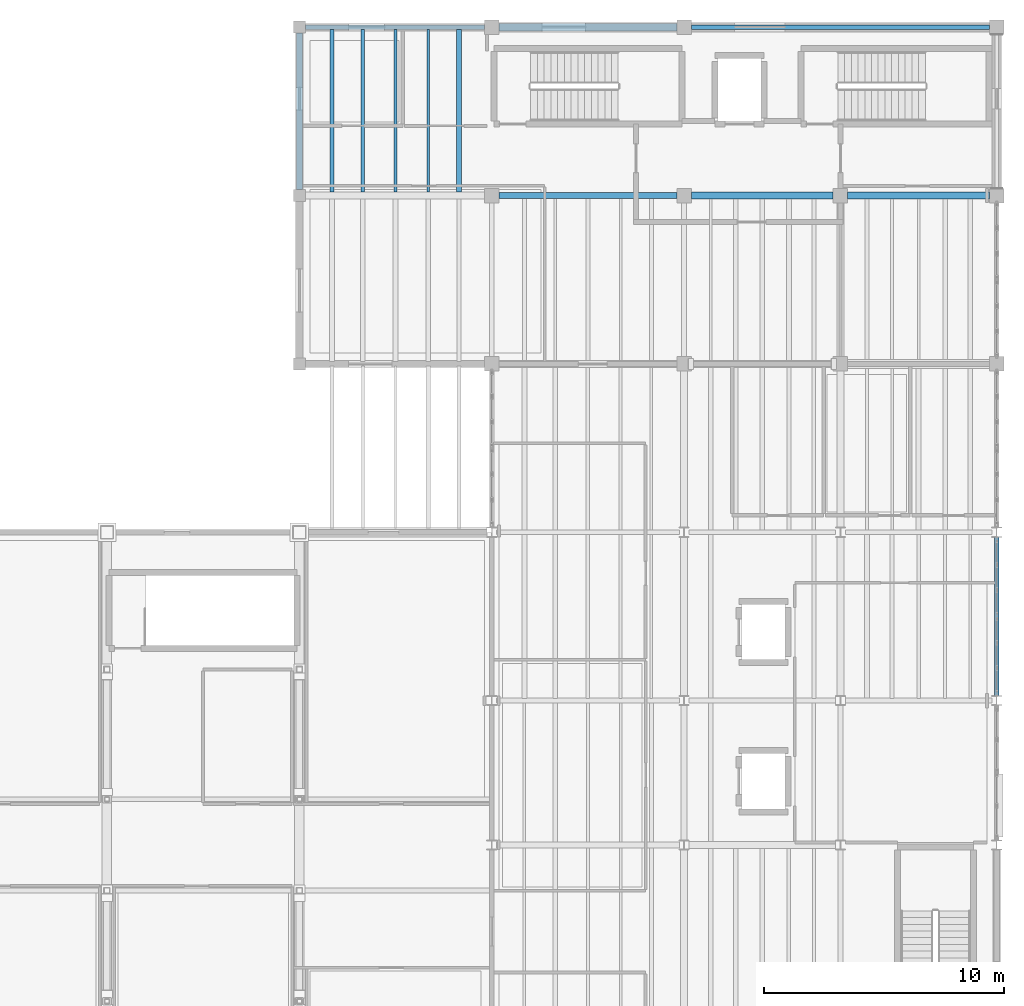
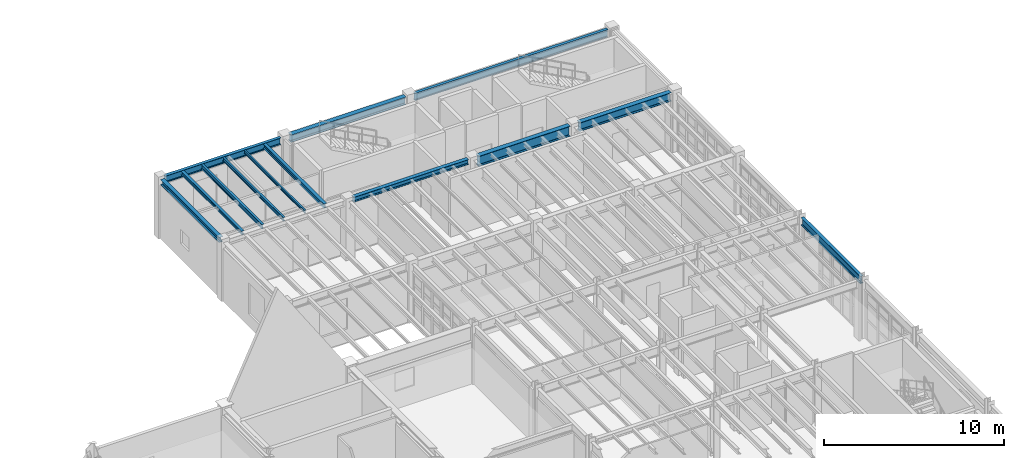
# One storey, part 44 of 78: 13 beams.
"""IFC4 building model written with IfcOpenShell, lengths in metres."""

from ifc_helpers import new_model, si_unit, direction, frame, origin, origin_2d, place, context, subcontext, project, spatial, i_section, extrude, material, material_profile, profile_set, type_object, element, save


model = new_model("IFC4")

# Units and contexts
model_context = context("Model", 3, precision=1e-05, world=origin(), true_north=direction((0.0, 1.0)))
body_context = subcontext(model_context, "Body", "Model", "MODEL_VIEW")
ifc_project = project(units=[si_unit("LENGTHUNIT", "METRE"), si_unit("AREAUNIT", "SQUARE_METRE"), si_unit("VOLUMEUNIT", "CUBIC_METRE"), si_unit("PLANEANGLEUNIT", "RADIAN"), si_unit("MASSUNIT", "GRAM", prefix="KILO"), si_unit("THERMODYNAMICTEMPERATUREUNIT", "KELVIN"), si_unit("POWERUNIT", "WATT")], contexts=[model_context])

# Site, building, storey
site_placement = place(None, origin())
site = spatial("IfcSite", under=ifc_project, at=site_placement, CompositionType="ELEMENT")
building_placement = place(site_placement, origin())
building = spatial("IfcBuilding", under=site, at=building_placement, Name="Zhenchuan Central Fire Station", CompositionType="ELEMENT")
storey_placement = place(building_placement, frame((0.0, 0.0, 5.85009765625)))
storey = spatial("IfcBuildingStorey", under=building, at=storey_placement, Name="L02", CompositionType="ELEMENT", Elevation=5.85009765625)

# Beams
ifc_material = material(Name="Steel Q355B", Category="steel")
ifc_material_profile_1 = material_profile(ifc_material, i_section(OverallWidth=0.25, OverallDepth=0.340087890625, WebThickness=0.009033203125, FlangeThickness=0.013916015625, FilletRadius=0.01806640625, at=origin_2d()), Name="HM 340x250")
ifc_profile_set_1 = profile_set([ifc_material_profile_1], Name="Steel Q355B")
beam_type_1 = type_object("IfcBeamType", Name="BM-HM340", PredefinedType="BEAM", material=ifc_profile_set_1)
beam_1_placement = place(storey_placement, frame((140.300048828125, 49.5, 3.829833984375), z_axis=(1.0, 0.0, 0.0), x_axis=(0.0, 1.0, 0.0)))
element("IfcBeam", 1, at=beam_1_placement, inside=storey, type_object=beam_type_1, Name="L03 Girder EW 0261", PredefinedType="BEAM", context=body_context, shape_type="SweptSolid", body=[
    extrude(i_section(OverallWidth=0.25, OverallDepth=0.340087890625, WebThickness=0.009033203125, FlangeThickness=0.013916015625, FilletRadius=0.01806640625, at=origin_2d()), origin(), (0.0, 0.0, 1.0), 7.39990234375),
])
beam_2_placement = place(storey_placement, frame((132.0, 49.75, 3.829833984375), z_axis=(0.0, 1.0, 0.0), x_axis=(-1.0, 0.0, 0.0)))
element("IfcBeam", 2, at=beam_2_placement, inside=storey, type_object=beam_type_1, Name="L03 Girder NS 0317", PredefinedType="BEAM", context=body_context, shape_type="SweptSolid", body=[
    extrude(i_section(OverallWidth=0.25, OverallDepth=0.340087890625, WebThickness=0.009033203125, FlangeThickness=0.013916015625, FilletRadius=0.01806640625, at=origin_2d()), origin(), (0.0, 0.0, 1.0), 6.5),
])
ifc_material_profile_2 = material_profile(ifc_material, i_section(OverallWidth=0.300048828125, OverallDepth=0.5, WebThickness=0.010986328125, FlangeThickness=0.01806640625, FilletRadius=0.02197265625, at=origin_2d()), Name="HM 500x300")
ifc_profile_set_2 = profile_set([ifc_material_profile_2], Name="Steel Q355B")
beam_type_2 = type_object("IfcBeamType", Name="BM-HM500", PredefinedType="BEAM", material=ifc_profile_set_2)
beam_3_placement = place(storey_placement, frame((140.300048828125, 56.5, 3.75), z_axis=(1.0, 0.0, 0.0), x_axis=(0.0, 1.0, 0.0)))
element("IfcBeam", 3, at=beam_3_placement, inside=storey, type_object=beam_type_2, Name="L03 Girder EW 0272", PredefinedType="BEAM", context=body_context, shape_type="SweptSolid", body=[
    extrude(i_section(OverallWidth=0.300048828125, OverallDepth=0.5, WebThickness=0.010986328125, FlangeThickness=0.01806640625, FilletRadius=0.02197265625, at=origin_2d()), origin(), (0.0, 0.0, 1.0), 7.39990234375),
])
ifc_material_profile_3 = material_profile(ifc_material, i_section(OverallWidth=0.300048828125, OverallDepth=0.587890625, WebThickness=0.011962890625, FlangeThickness=0.02001953125, FilletRadius=0.02392578125, at=origin_2d()), Name="HM 588x300")
ifc_profile_set_3 = profile_set([ifc_material_profile_3], Name="Steel Q355B")
beam_type_3 = type_object("IfcBeamType", Name="BM-HM588", PredefinedType="BEAM", material=ifc_profile_set_3)
beam_4_placement = place(storey_placement, frame((154.800048828125, 49.5, 3.705810546875), z_axis=(1.0, 0.0, 0.0), x_axis=(0.0, 1.0, 0.0)))
element("IfcBeam", 4, at=beam_4_placement, inside=storey, type_object=beam_type_3, Name="L03 Girder EW 0263", PredefinedType="BEAM", context=body_context, shape_type="SweptSolid", body=[
    extrude(i_section(OverallWidth=0.300048828125, OverallDepth=0.587890625, WebThickness=0.011962890625, FlangeThickness=0.02001953125, FilletRadius=0.02392578125, at=origin_2d()), origin(), (0.0, 0.0, 1.0), 5.89990234375),
])
ifc_material_profile_4 = material_profile(ifc_material, i_section(OverallWidth=0.199951171875, OverallDepth=0.449951171875, WebThickness=0.009033203125, FlangeThickness=0.013916015625, FilletRadius=0.01806640625, at=origin_2d()), Name="HN 450x200")
ifc_profile_set_4 = profile_set([ifc_material_profile_4], Name="Steel Q355B")
beam_type_4 = type_object("IfcBeamType", Name="BM-HN450-EXT", PredefinedType="BEAM", material=ifc_profile_set_4)
beam_5_placement = place(storey_placement, frame((132.25, 56.5, 3.77490234375), z_axis=(1.0, 0.0, 0.0), x_axis=(0.0, 1.0, 0.0)))
element("IfcBeam", 5, at=beam_5_placement, inside=storey, type_object=beam_type_4, Name="L03 Girder EW 0271", PredefinedType="BEAM", context=body_context, shape_type="SweptSolid", body=[
    extrude(i_section(OverallWidth=0.199951171875, OverallDepth=0.449951171875, WebThickness=0.009033203125, FlangeThickness=0.013916015625, FilletRadius=0.01806640625, at=origin_2d()), origin(), (0.0, 0.0, 1.0), 7.449951171875),
])
ifc_material_profile_5 = material_profile(ifc_material, i_section(OverallWidth=0.300048828125, OverallDepth=0.699951171875, WebThickness=0.012939453125, FlangeThickness=0.02392578125, FilletRadius=0.02392578125, at=origin_2d()), Name="HN 700x300")
ifc_profile_set_5 = profile_set([ifc_material_profile_5], Name="Steel Q355B")
beam_type_5 = type_object("IfcBeamType", Name="BM-HN700", PredefinedType="BEAM", material=ifc_profile_set_5)
beam_6_placement = place(storey_placement, frame((148.300048828125, 49.5, 3.64990234375), z_axis=(1.0, 0.0, 0.0), x_axis=(0.0, 1.0, 0.0)))
element("IfcBeam", 6, at=beam_6_placement, inside=storey, type_object=beam_type_5, Name="L03 Girder EW 0262", PredefinedType="BEAM", context=body_context, shape_type="SweptSolid", body=[
    extrude(i_section(OverallWidth=0.300048828125, OverallDepth=0.699951171875, WebThickness=0.012939453125, FlangeThickness=0.02392578125, FilletRadius=0.02392578125, at=origin_2d()), origin(), (0.0, 0.0, 1.0), 5.89990234375),
])
ifc_material_profile_6 = material_profile(ifc_material, i_section(OverallWidth=0.175048828125, OverallDepth=0.243896484375, WebThickness=0.007080078125, FlangeThickness=0.010986328125, FilletRadius=0.012939453125, at=origin_2d()), Name="HM 244x175")
ifc_profile_set_6 = profile_set([ifc_material_profile_6], Name="Steel Q355B")
beam_type_6 = type_object("IfcBeamType", Name="JS-HM244", PredefinedType="JOIST", material=ifc_profile_set_6)
beam_7_placement = place(storey_placement, frame((133.360107421875, 49.64697265625, 3.8779296875), z_axis=(0.0, 1.0, 0.0), x_axis=(-1.0, 0.0, 0.0)))
element("IfcBeam", 7, at=beam_7_placement, inside=storey, type_object=beam_type_6, Name="L03 Secondary Joist 0565", PredefinedType="JOIST", context=body_context, shape_type="SweptSolid", body=[
    extrude(i_section(OverallWidth=0.175048828125, OverallDepth=0.243896484375, WebThickness=0.007080078125, FlangeThickness=0.010986328125, FilletRadius=0.012939453125, at=origin_2d()), origin(), (0.0, 0.0, 1.0), 6.756103515625),
])
ifc_material_profile_7 = material_profile(ifc_material, i_section(OverallWidth=0.199951171875, OverallDepth=0.2939453125, WebThickness=0.008056640625, FlangeThickness=0.011962890625, FilletRadius=0.01611328125, at=origin_2d()), Name="HM 294x200")
ifc_profile_set_7 = profile_set([ifc_material_profile_7], Name="Steel Q355B")
beam_type_7 = type_object("IfcBeamType", Name="JS-HM294", PredefinedType="JOIST", material=ifc_profile_set_7)
beam_8_placement = place(storey_placement, frame((138.639892578125, 49.64697265625, 3.852783203125), z_axis=(0.0, 1.0, 0.0), x_axis=(-1.0, 0.0, 0.0)))
element("IfcBeam", 8, at=beam_8_placement, inside=storey, type_object=beam_type_7, Name="L03 Secondary Joist 0569", PredefinedType="JOIST", context=body_context, shape_type="SweptSolid", body=[
    extrude(i_section(OverallWidth=0.199951171875, OverallDepth=0.2939453125, WebThickness=0.008056640625, FlangeThickness=0.011962890625, FilletRadius=0.01611328125, at=origin_2d()), origin(), (0.0, 0.0, 1.0), 6.756103515625),
])
ifc_material_profile_8 = material_profile(ifc_material, i_section(OverallWidth=0.10009765625, OverallDepth=0.199951171875, WebThickness=0.005615234375, FlangeThickness=0.008056640625, FilletRadius=0.010986328125, at=origin_2d()), Name="HN 200x100")
ifc_profile_set_8 = profile_set([ifc_material_profile_8], Name="Steel Q355B")
beam_type_8 = type_object("IfcBeamType", Name="JS-HN200", PredefinedType="JOIST", material=ifc_profile_set_8)
beam_9_placement = place(storey_placement, frame((137.360107421875, 49.64697265625, 3.89990234375), z_axis=(0.0, 1.0, 0.0), x_axis=(-1.0, 0.0, 0.0)))
element("IfcBeam", 9, at=beam_9_placement, inside=storey, type_object=beam_type_8, Name="L03 Secondary Joist 0568", PredefinedType="JOIST", context=body_context, shape_type="SweptSolid", body=[
    extrude(i_section(OverallWidth=0.10009765625, OverallDepth=0.199951171875, WebThickness=0.005615234375, FlangeThickness=0.008056640625, FilletRadius=0.010986328125, at=origin_2d()), origin(), (0.0, 0.0, 1.0), 6.756103515625),
])
ifc_material_profile_9 = material_profile(ifc_material, i_section(OverallWidth=0.125, OverallDepth=0.25, WebThickness=0.006103515625, FlangeThickness=0.009033203125, FilletRadius=0.011962890625, at=origin_2d()), Name="HN 250x125")
ifc_profile_set_9 = profile_set([ifc_material_profile_9], Name="Steel Q355B")
beam_type_9 = type_object("IfcBeamType", Name="JS-HN250", PredefinedType="JOIST", material=ifc_profile_set_9)
beam_10_placement = place(storey_placement, frame((136.0, 49.64697265625, 3.875), z_axis=(0.0, 1.0, 0.0), x_axis=(-1.0, 0.0, 0.0)))
element("IfcBeam", 10, at=beam_10_placement, inside=storey, type_object=beam_type_9, Name="L03 Secondary Joist 0567", PredefinedType="JOIST", context=body_context, shape_type="SweptSolid", body=[
    extrude(i_section(OverallWidth=0.125, OverallDepth=0.25, WebThickness=0.006103515625, FlangeThickness=0.009033203125, FilletRadius=0.011962890625, at=origin_2d()), origin(), (0.0, 0.0, 1.0), 6.756103515625),
])
ifc_material_profile_10 = material_profile(ifc_material, i_section(OverallWidth=0.14990234375, OverallDepth=0.300048828125, WebThickness=0.006591796875, FlangeThickness=0.009033203125, FilletRadius=0.012939453125, at=origin_2d()), Name="HN 300x150")
ifc_profile_set_10 = profile_set([ifc_material_profile_10], Name="Steel Q355B")
beam_type_10 = type_object("IfcBeamType", Name="JS-HN300", PredefinedType="JOIST", material=ifc_profile_set_10)
beam_11_placement = place(storey_placement, frame((134.639892578125, 49.64697265625, 3.849853515625), z_axis=(0.0, 1.0, 0.0), x_axis=(-1.0, 0.0, 0.0)))
element("IfcBeam", 11, at=beam_11_placement, inside=storey, type_object=beam_type_10, Name="L03 Secondary Joist 0566", PredefinedType="JOIST", context=body_context, shape_type="SweptSolid", body=[
    extrude(i_section(OverallWidth=0.14990234375, OverallDepth=0.300048828125, WebThickness=0.006591796875, FlangeThickness=0.009033203125, FilletRadius=0.012939453125, at=origin_2d()), origin(), (0.0, 0.0, 1.0), 6.756103515625),
])
ifc_material_profile_11 = material_profile(ifc_material, i_section(OverallWidth=0.199951171875, OverallDepth=0.5, WebThickness=0.010009765625, FlangeThickness=0.01611328125, FilletRadius=0.02001953125, at=origin_2d()), Name="HN 500x200")
ifc_profile_set_11 = profile_set([ifc_material_profile_11], Name="Steel Q355B")
beam_type_11 = type_object("IfcBeamType", Name="SP-HN500", PredefinedType="SPANDREL", material=ifc_profile_set_11)
beam_12_placement = place(storey_placement, frame((148.300048828125, 56.5, 3.75), z_axis=(1.0, 0.0, 0.0), x_axis=(0.0, 1.0, 0.0)))
element("IfcBeam", 12, at=beam_12_placement, inside=storey, type_object=beam_type_11, Name="L03 Girder EW 0273", PredefinedType="SPANDREL", context=body_context, shape_type="SweptSolid", body=[
    extrude(i_section(OverallWidth=0.199951171875, OverallDepth=0.5, WebThickness=0.010009765625, FlangeThickness=0.01611328125, FilletRadius=0.02001953125, at=origin_2d()), origin(), (0.0, 0.0, 1.0), 12.39990234375),
])
beam_13_placement = place(storey_placement, frame((161.0, 28.699951171875, 3.7099609375), z_axis=(0.0, 1.0, 0.0), x_axis=(-1.0, 0.0, 0.0)))
element("IfcBeam", 13, at=beam_13_placement, inside=storey, type_object=beam_type_11, Name="L03 Girder NS 0343", PredefinedType="SPANDREL", context=body_context, shape_type="SweptSolid", body=[
    extrude(i_section(OverallWidth=0.199951171875, OverallDepth=0.5, WebThickness=0.010009765625, FlangeThickness=0.01611328125, FilletRadius=0.02001953125, at=origin_2d()), origin(), (0.0, 0.0, 1.0), 6.60009765625),
])

save(model, "model.ifc")
